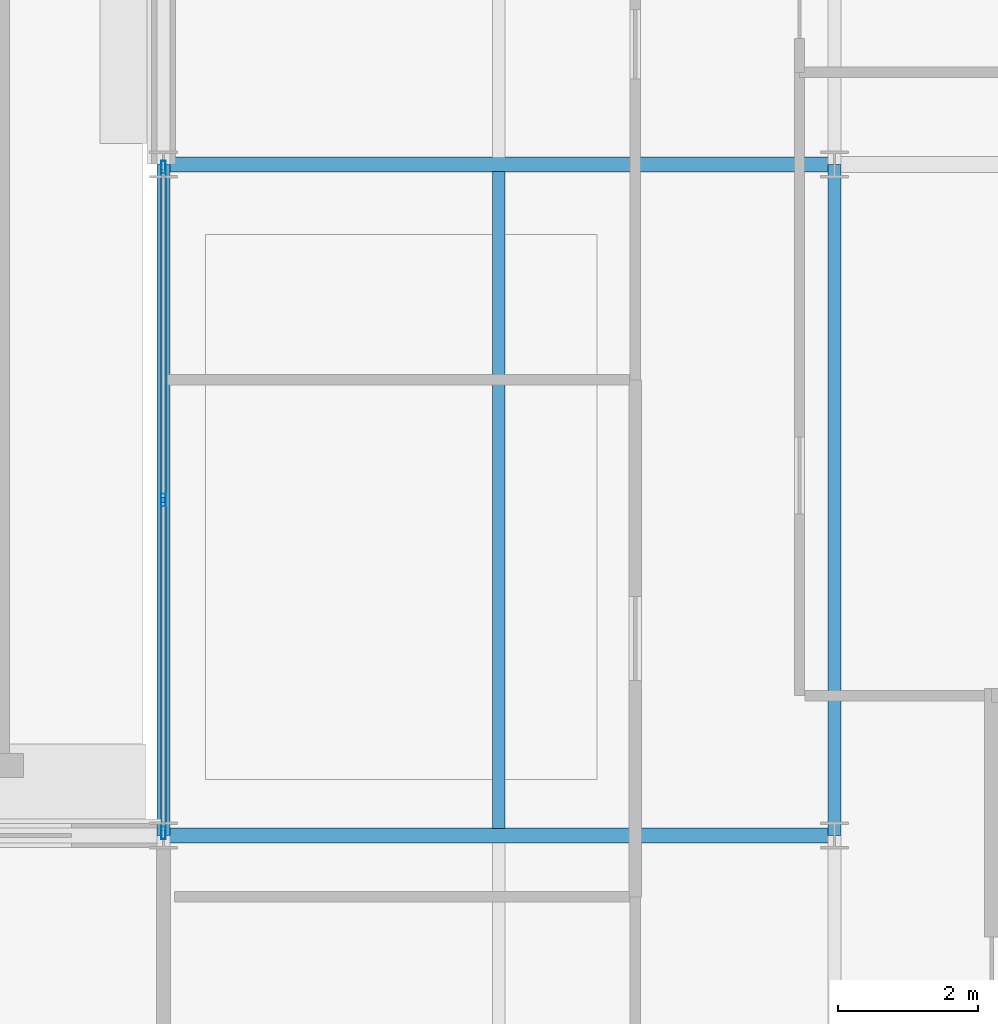
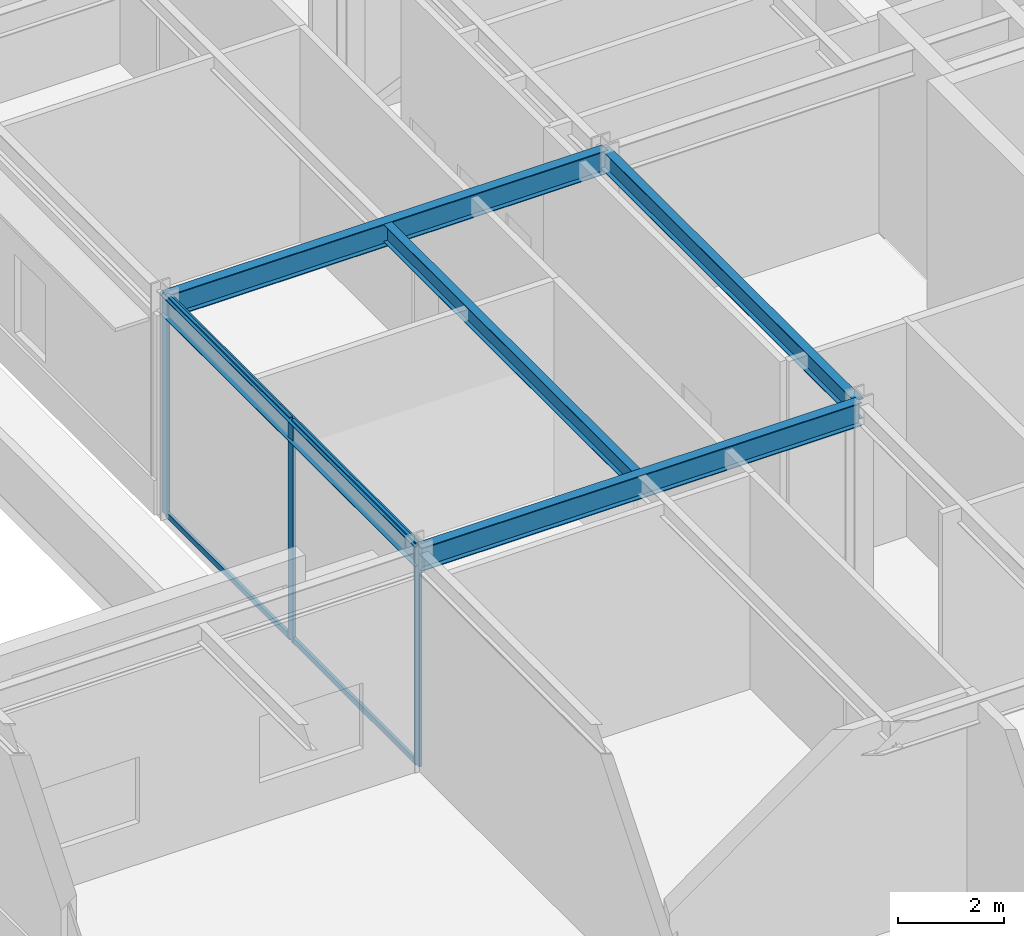
# One storey, part 95 of 168: 7 members, 5 beams, 1 element without a shape of its own.
"""IFC4 building model written with IfcOpenShell, lengths in metres."""

from ifc_helpers import new_model, si_unit, direction, frame, origin, origin_2d, place, context, subcontext, project, spatial, hollow_rectangle, i_section, extrude, material, material_profile, profile_set, type_object, element, aggregate, save


model = new_model("IFC4")

# Units and contexts
model_context = context("Model", 3, precision=1e-05, world=origin(), true_north=direction((0.0, 1.0)))
body_context = subcontext(model_context, "Body", "Model", "MODEL_VIEW")
ifc_project = project(units=[si_unit("LENGTHUNIT", "METRE"), si_unit("AREAUNIT", "SQUARE_METRE"), si_unit("VOLUMEUNIT", "CUBIC_METRE"), si_unit("PLANEANGLEUNIT", "RADIAN"), si_unit("MASSUNIT", "GRAM", prefix="KILO")], contexts=[model_context])

# Site, building, storey
site_placement = place(None, origin())
site = spatial("IfcSite", under=ifc_project, at=site_placement, CompositionType="ELEMENT")
building_placement = place(site_placement, origin())
building = spatial("IfcBuilding", under=site, at=building_placement, Name="Almandine Court Research Institute", CompositionType="ELEMENT")
storey_placement = place(building_placement, origin())
storey = spatial("IfcBuildingStorey", under=building, at=storey_placement, Name="L00", CompositionType="ELEMENT", Elevation=0.0)

# Beams
ifc_material_1 = material(Name="Steel ASTM A992 Grade 50", Category="steel")
ifc_material_profile_1 = material_profile(ifc_material_1, i_section(OverallWidth=0.18994140625, OverallDepth=0.45703125, WebThickness=0.009033203125, FlangeThickness=0.014892578125, at=origin_2d()), Name="W460x74")
ifc_profile_set_1 = profile_set([ifc_material_profile_1], Name="Steel ASTM A992 Grade 50")
beam_type_1 = type_object("IfcBeamType", Name="Beam-B-01", PredefinedType="BEAM", material=ifc_profile_set_1)
for number, where, z_axis, x_axis, name in (
    (1, (153.60009765625, 25.199951171875, 4.841064453125), (0.0, 1.0, 0.0), (-1.0, 0.0, 0.0), "L00 V4 Primary Y Girder"),
    (2, (163.199951171875, 25.199951171875, 4.841064453125), (0.0, 1.0, 0.0), (-1.0, 0.0, 0.0), "L00 V4 Primary Y Girder"),
):
    element("IfcBeam", number, at=place(storey_placement, frame(where, z_axis=z_axis, x_axis=x_axis)), inside=storey, type_object=beam_type_1, Name=name, PredefinedType="BEAM", context=body_context, shape_type="SweptSolid", body=[
        extrude(i_section(OverallWidth=0.18994140625, OverallDepth=0.45703125, WebThickness=0.009033203125, FlangeThickness=0.014892578125, at=origin_2d()), origin(), (0.0, 0.0, 1.0), 9.60009765625),
    ])
ifc_material_profile_2 = material_profile(ifc_material_1, i_section(OverallWidth=0.178955078125, OverallDepth=0.409912109375, WebThickness=0.009033203125, FlangeThickness=0.013916015625, at=origin_2d()), Name="W410x67")
ifc_profile_set_2 = profile_set([ifc_material_profile_2], Name="Steel ASTM A992 Grade 50")
beam_type_2 = type_object("IfcBeamType", Name="Beam-B-02", PredefinedType="JOIST", material=ifc_profile_set_2)
beam_placement = place(storey_placement, frame((158.39990234375, 25.302978515625, 4.864990234375), z_axis=(0.0, 1.0, 0.0), x_axis=(-1.0, 0.0, 0.0)))
element("IfcBeam", 3, at=beam_placement, inside=storey, type_object=beam_type_2, Name="L00 V4 Composite Secondary Beam", PredefinedType="JOIST", context=body_context, shape_type="SweptSolid", body=[
    extrude(i_section(OverallWidth=0.178955078125, OverallDepth=0.409912109375, WebThickness=0.009033203125, FlangeThickness=0.013916015625, at=origin_2d()), origin(), (0.0, 0.0, 1.0), 9.39404296875),
])
ifc_material_profile_3 = material_profile(ifc_material_1, i_section(OverallWidth=0.2109375, OverallDepth=0.5390625, WebThickness=0.011962890625, FlangeThickness=0.01904296875, at=origin_2d()), Name="W530x109")
ifc_profile_set_3 = profile_set([ifc_material_profile_3], Name="Steel ASTM A992 Grade 50")
beam_type_3 = type_object("IfcBeamType", Name="Beam-G-04", PredefinedType="BEAM", material=ifc_profile_set_3)
for number, where, z_axis, x_axis, name in (
    (4, (153.60009765625, 25.199951171875, 4.801025390625), (1.0, 0.0, 0.0), (0.0, 1.0, 0.0), "L00 V4 Primary X Girder"),
    (5, (153.60009765625, 34.800048828125, 4.801025390625), (1.0, 0.0, 0.0), (0.0, 1.0, 0.0), "L00 V4 Primary X Girder"),
):
    element("IfcBeam", number, at=place(storey_placement, frame(where, z_axis=z_axis, x_axis=x_axis)), inside=storey, type_object=beam_type_3, Name=name, PredefinedType="BEAM", context=body_context, shape_type="SweptSolid", body=[
        extrude(i_section(OverallWidth=0.2109375, OverallDepth=0.5390625, WebThickness=0.011962890625, FlangeThickness=0.01904296875, at=origin_2d()), origin(), (0.0, 0.0, 1.0), 9.599853515625),
    ])

# Curtain wall, members
ifc_material_2 = material(Name="Unitised Curtain Wall Framing and Solar Glazing", Category="glass")
curtain_wall_type = type_object("IfcCurtainWallType", Name="CW-CWJ-13", PredefinedType="USERDEFINED", material=ifc_material_2)
curtain_wall_placement = place(storey_placement, origin())
curtain_wall = element("IfcCurtainWall", 6, at=curtain_wall_placement, inside=storey, type_object=curtain_wall_type, Name="L00 Wet Lab West Courtyard Jali Curtain Wall 1", ObjectType="SOLAR JALI SCREEN", PredefinedType="USERDEFINED")
ifc_material_3 = material(Name="Anodised Aluminium AW-6063-T6", Category="aluminium")
ifc_material_profile_4 = material_profile(ifc_material_3, hollow_rectangle(XDim=0.06494140625, YDim=0.179931640625, WallThickness=0.00390625, at=origin_2d()), Name="ALU RHS 65x180x4")
ifc_profile_set_4 = profile_set([ifc_material_profile_4], Name="Anodised Aluminium AW-6063-T6")
member_type_1 = type_object("IfcMemberType", Name="CWMul-65x180", PredefinedType="MULLION", material=ifc_profile_set_4)
member_1_placement = place(storey_placement, frame((153.60009765625, 25.236572265625, 0.0), z_axis=(0.0, 0.0, 1.0), x_axis=(-1.0, 0.0, 0.0)))
member_1 = element("IfcMember", 7, at=member_1_placement, type_object=member_type_1, Name="CWJ-13 mullion 1", PredefinedType="MULLION", context=body_context, shape_type="SweptSolid", body=[
    extrude(hollow_rectangle(XDim=0.06494140625, YDim=0.179931640625, WallThickness=0.00390625, at=origin_2d()), origin(), (0.0, 0.0, 1.0), 5.070068359375),
])
member_2_placement = place(storey_placement, frame((153.60009765625, 30.0, 0.0), z_axis=(0.0, 0.0, 1.0), x_axis=(-1.0, 0.0, 0.0)))
member_2 = element("IfcMember", 8, at=member_2_placement, type_object=member_type_1, Name="CWJ-13 mullion 2", PredefinedType="MULLION", context=body_context, shape_type="SweptSolid", body=[
    extrude(hollow_rectangle(XDim=0.06494140625, YDim=0.179931640625, WallThickness=0.00390625, at=origin_2d()), origin(), (0.0, 0.0, 1.0), 5.070068359375),
])
member_3_placement = place(storey_placement, frame((153.60009765625, 34.763427734375, 0.0), z_axis=(0.0, 0.0, 1.0), x_axis=(-1.0, 0.0, 0.0)))
member_3 = element("IfcMember", 9, at=member_3_placement, type_object=member_type_1, Name="CWJ-13 mullion 3", PredefinedType="MULLION", context=body_context, shape_type="SweptSolid", body=[
    extrude(hollow_rectangle(XDim=0.06494140625, YDim=0.179931640625, WallThickness=0.00390625, at=origin_2d()), origin(), (0.0, 0.0, 1.0), 5.070068359375),
])
ifc_material_profile_5 = material_profile(ifc_material_3, hollow_rectangle(XDim=0.06494140625, YDim=0.1298828125, WallThickness=0.00390625, at=origin_2d()), Name="ALU RHS 65x130x4")
ifc_profile_set_5 = profile_set([ifc_material_profile_5], Name="Anodised Aluminium AW-6063-T6")
member_type_2 = type_object("IfcMemberType", Name="CWTrn-65x130", PredefinedType="NOTDEFINED", material=ifc_profile_set_5)
member_4_placement = place(storey_placement, frame((153.60009765625, 25.26904296875, 0.032470703125), z_axis=(0.0, 1.0, 0.0), x_axis=(-1.0, 0.0, 0.0)))
member_4 = element("IfcMember", 10, at=member_4_placement, type_object=member_type_2, Name="CWJ-13 transom 1.1", ObjectType="TRANSOM", PredefinedType="USERDEFINED", context=body_context, shape_type="SweptSolid", body=[
    extrude(hollow_rectangle(XDim=0.06494140625, YDim=0.1298828125, WallThickness=0.00390625, at=origin_2d()), origin(), (0.0, 0.0, 1.0), 4.698486328125),
])
member_5_placement = place(storey_placement, frame((153.60009765625, 25.26904296875, 5.03759765625), z_axis=(0.0, 1.0, 0.0), x_axis=(-1.0, 0.0, 0.0)))
member_5 = element("IfcMember", 11, at=member_5_placement, type_object=member_type_2, Name="CWJ-13 transom 1.2", ObjectType="TRANSOM", PredefinedType="USERDEFINED", context=body_context, shape_type="SweptSolid", body=[
    extrude(hollow_rectangle(XDim=0.06494140625, YDim=0.1298828125, WallThickness=0.00390625, at=origin_2d()), origin(), (0.0, 0.0, 1.0), 4.698486328125),
])
member_6_placement = place(storey_placement, frame((153.60009765625, 30.032470703125, 0.032470703125), z_axis=(0.0, 1.0, 0.0), x_axis=(-1.0, 0.0, 0.0)))
member_6 = element("IfcMember", 12, at=member_6_placement, type_object=member_type_2, Name="CWJ-13 transom 2.1", ObjectType="TRANSOM", PredefinedType="USERDEFINED", context=body_context, shape_type="SweptSolid", body=[
    extrude(hollow_rectangle(XDim=0.06494140625, YDim=0.1298828125, WallThickness=0.00390625, at=origin_2d()), origin(), (0.0, 0.0, 1.0), 4.698486328125),
])
member_7_placement = place(storey_placement, frame((153.60009765625, 30.032470703125, 5.03759765625), z_axis=(0.0, 1.0, 0.0), x_axis=(-1.0, 0.0, 0.0)))
member_7 = element("IfcMember", 13, at=member_7_placement, type_object=member_type_2, Name="CWJ-13 transom 2.2", ObjectType="TRANSOM", PredefinedType="USERDEFINED", context=body_context, shape_type="SweptSolid", body=[
    extrude(hollow_rectangle(XDim=0.06494140625, YDim=0.1298828125, WallThickness=0.00390625, at=origin_2d()), origin(), (0.0, 0.0, 1.0), 4.698486328125),
])
aggregate(curtain_wall, [member_1, member_2, member_3, member_4, member_5, member_6, member_7])

save(model, "model.ifc")
